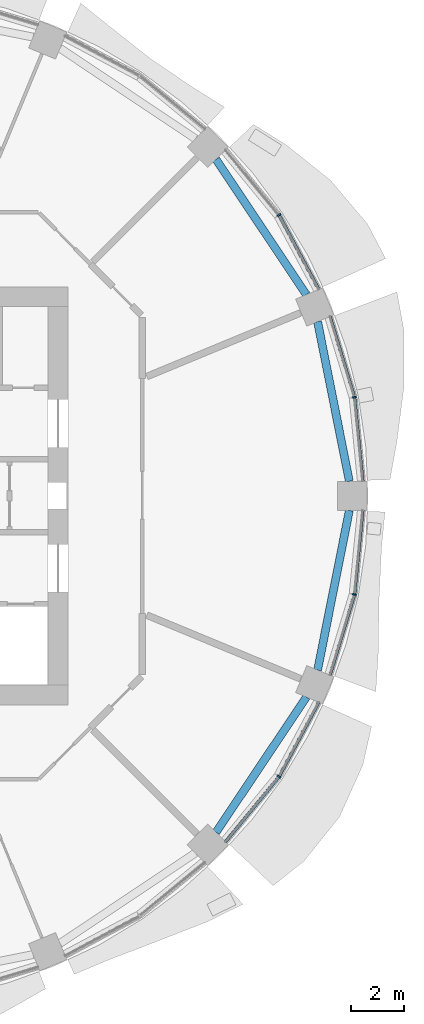
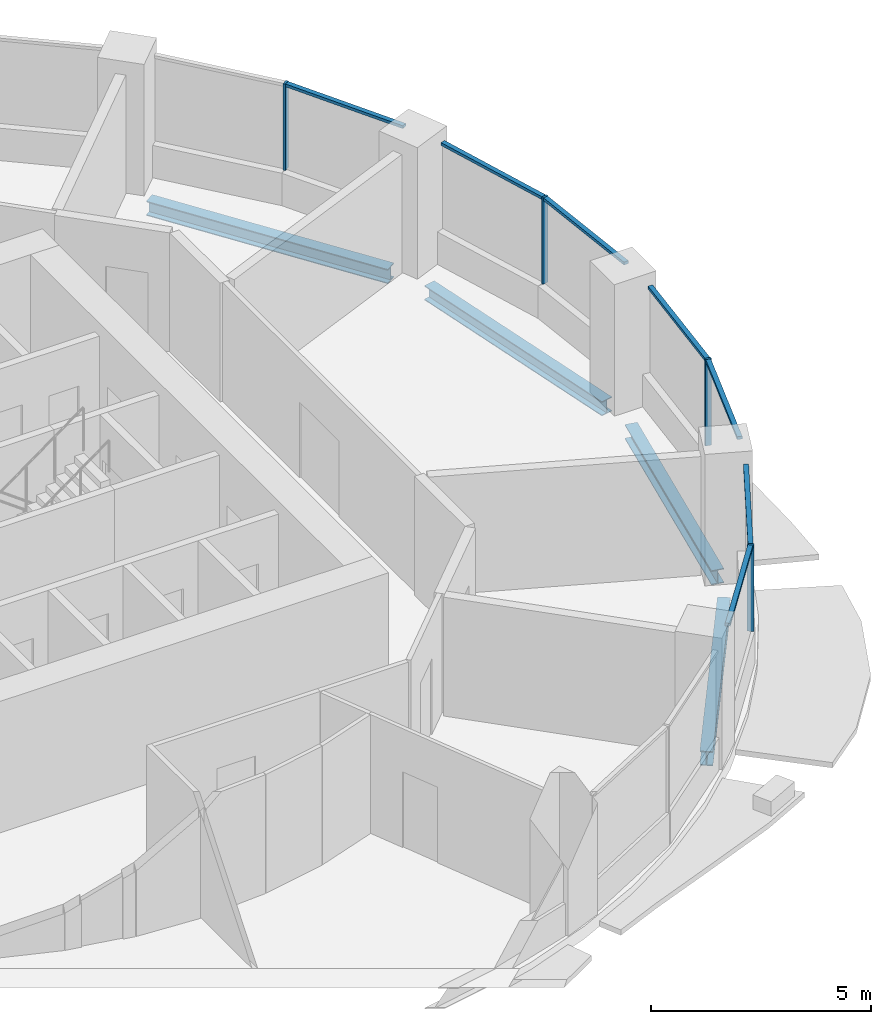
# One storey, part 4 of 14: 11 members, 4 beams, 4 elements without a shape of their own.
"""IFC4 building model written with IfcOpenShell, lengths in metres."""

import ifcopenshell
import ifcopenshell.guid

model = None  # the IFC model being written
_history = None  # IfcOwnerHistory: only IFC2X3 demands one
_inside = {}  # id of a spatial element -> (the spatial element, [elements in it])
_under = {}  # id of a project, library or spatial element -> (it, [spatial elements below it])
_declared = {}  # id of a project -> (the project, [libraries it declares])
_typed = {}  # id of a type object -> (the type object, [elements of that type])
_made_of = {}  # id of a material, layer set ... -> (it, [elements and type objects made of it])


def new_model(schema):
    """Start an empty IFC model of exactly this schema.

    Asked for "IFC4X3", IfcOpenShell would pick the latest addendum, in which some entities
    have other attributes; the version numbers below select the first issue.
    IFC2X3 requires an IfcOwnerHistory on every rooted entity: one is made here for all.
    """
    global model, _history
    if schema == "IFC4X3":
        model = ifcopenshell.file(schema_version=(4, 3, 0, 0))
    else:
        model = ifcopenshell.file(schema=schema)
    _inside.clear()
    _under.clear()
    _declared.clear()
    _typed.clear()
    _made_of.clear()
    _history = None
    if model.schema == "IFC2X3":
        org = make("IfcOrganization", Name="unknown")
        user = make(
            "IfcPersonAndOrganization",
            ThePerson=make("IfcPerson", FamilyName="unknown"),
            TheOrganization=org,
        )
        app = make(
            "IfcApplication",
            ApplicationDeveloper=org,
            Version="unknown",
            ApplicationFullName="unknown",
            ApplicationIdentifier="unknown",
        )
        _history = make(
            "IfcOwnerHistory",
            OwningUser=user,
            OwningApplication=app,
            ChangeAction="ADDED",
            CreationDate=0,
        )
    return model


def make(cls, **values):
    """One entity of the class cls with the attributes given. An attribute that is None is left unset."""
    return model.create_entity(
        cls, **{name: value for name, value in values.items() if value is not None}
    )


def rooted(cls, **values):
    """An entity with a GlobalId (a new one), such as an element, a storey or a relation."""
    return make(cls, GlobalId=ifcopenshell.guid.new(), OwnerHistory=_history, **values)


def si_unit(unit_type, name, prefix=None):
    """IfcSIUnit, for example si_unit("LENGTHUNIT", "METRE", prefix="MILLI")."""
    return make("IfcSIUnit", UnitType=unit_type, Prefix=prefix, Name=name)


def assignment(units):
    """IfcUnitAssignment: the units of a project."""
    return None if units is None else make("IfcUnitAssignment", Units=units)


def point(xyz):
    """IfcCartesianPoint."""
    return None if xyz is None else make("IfcCartesianPoint", Coordinates=xyz)


def direction(xyz):
    """IfcDirection."""
    return None if xyz is None else make("IfcDirection", DirectionRatios=xyz)


def frame(location, z_axis=None, x_axis=None):
    """IfcAxis2Placement3D, a coordinate frame: its origin and axes. An axis left out is left unset."""
    return make(
        "IfcAxis2Placement3D",
        Location=point(location),
        Axis=direction(z_axis),
        RefDirection=direction(x_axis),
    )


def frame_2d(location, x_axis=None):
    """IfcAxis2Placement2D, a coordinate frame in the plane: its origin and x axis."""
    return make(
        "IfcAxis2Placement2D", Location=point(location), RefDirection=direction(x_axis)
    )


def origin():
    """The frame at (0, 0, 0) with its axes left unset."""
    return frame((0.0, 0.0, 0.0))


def origin_2d():
    """The frame at (0, 0) in the plane with its x axis left unset."""
    return frame_2d((0.0, 0.0))


def place(relative_to, where):
    """IfcLocalPlacement: puts the frame where relative to a parent placement (None: the world)."""
    return make(
        "IfcLocalPlacement", PlacementRelTo=relative_to, RelativePlacement=where
    )


def context(
    kind, dimensions, precision=None, world=None, true_north=None, identifier=None
):
    """IfcGeometricRepresentationContext, for example the 3D "Model" context."""
    return make(
        "IfcGeometricRepresentationContext",
        ContextIdentifier=identifier,
        ContextType=kind,
        CoordinateSpaceDimension=dimensions,
        Precision=precision,
        WorldCoordinateSystem=world,
        TrueNorth=true_north,
    )


def subcontext(parent, identifier, kind, view, scale=None):
    """IfcGeometricRepresentationSubContext, for example "Body" below "Model"."""
    return make(
        "IfcGeometricRepresentationSubContext",
        ContextIdentifier=identifier,
        ContextType=kind,
        ParentContext=parent,
        TargetScale=scale,
        TargetView=view,
    )


def project(units=None, contexts=None):
    """IfcProject with its units and contexts."""
    return rooted(
        "IfcProject",
        Name="project",
        RepresentationContexts=contexts,
        UnitsInContext=assignment(units),
    )


def spatial(cls, under=None, at=None, **own):
    """A site, building, storey or space (cls), placed at a placement, below another one or the project."""
    s = rooted(cls, ObjectPlacement=at, **own)
    if under is not None:
        _under.setdefault(under.id(), (under, []))[1].append(s)
    return s


def profile(cls, at=None, kind="AREA", **sizes):
    """A parametric profile (cls). Its sizes go by their IFC names, for example OverallWidth=200.0."""
    return make(cls, ProfileType=kind, Position=at, **sizes)


def rectangle(**sizes):
    """IfcRectangleProfileDef."""
    return profile("IfcRectangleProfileDef", **sizes)


def i_section(**sizes):
    """IfcIShapeProfileDef."""
    return profile("IfcIShapeProfileDef", **sizes)


def extrude(swept, where, along, depth):
    """IfcExtrudedAreaSolid: the profile swept, set in the frame where, extruded along a direction by depth."""
    return make(
        "IfcExtrudedAreaSolid",
        SweptArea=swept,
        Position=where,
        ExtrudedDirection=direction(along),
        Depth=depth,
    )


def shape(context_of_items, identifier, shape_type, items):
    """IfcShapeRepresentation: the items that make up one representation, for example the "Body"."""
    return make(
        "IfcShapeRepresentation",
        ContextOfItems=context_of_items,
        RepresentationIdentifier=identifier,
        RepresentationType=shape_type,
        Items=items,
    )


def material(Name=None, Category=None):
    """IfcMaterial."""
    return make("IfcMaterial", Name=Name, Category=Category)


def material_profile(
    of_material, cross_section, Name=None, Category=None, Priority=None
):
    """IfcMaterialProfile: a cross section and its material."""
    return make(
        "IfcMaterialProfile",
        Name=Name,
        Material=of_material,
        Profile=cross_section,
        Priority=Priority,
        Category=Category,
    )


def profile_set(profiles, Name=None, composite=None):
    """IfcMaterialProfileSet."""
    return make(
        "IfcMaterialProfileSet",
        Name=Name,
        MaterialProfiles=profiles,
        CompositeProfile=composite,
    )


def made_of(thing, what):
    """Note that an element or type object is made of a material, layer set ...; save() writes the relation."""
    if what is not None:
        _made_of.setdefault(what.id(), (what, []))[1].append(thing)
    return thing


def type_object(cls, material=None, **own):
    """A type object (cls), such as IfcWallType, which elements share."""
    return made_of(rooted(cls, **own), material)


def element(
    cls,
    number,
    at=None,
    inside=None,
    cuts=None,
    type_object=None,
    material=None,
    context=None,
    identifier="Body",
    shape_type=None,
    held_by="IfcProductDefinitionShape",
    body=None,
    shapes=None,
    **own,
):
    """One element of the class cls, such as IfcWall. Its Tag is "e" and its number.

    at: its placement. inside: the storey or other place that contains it. cuts: it is an
    opening in that element (IfcRelVoidsElement). A single representation is given by context,
    identifier, shape_type and body (its items); several are given by shapes. held_by: the class
    of the entity that holds the representations. save() writes the other relations.
    """
    e = rooted(cls, Tag="e%d" % number, ObjectPlacement=at, **own)
    if body is not None:
        shapes = [shape(context, identifier, shape_type, body)]
    if shapes is not None:
        e.Representation = make(held_by, Representations=shapes)
    if inside is not None:
        _inside.setdefault(inside.id(), (inside, []))[1].append(e)
    if cuts is not None:
        rooted(
            "IfcRelVoidsElement", RelatingBuildingElement=cuts, RelatedOpeningElement=e
        )
    if type_object is not None:
        _typed.setdefault(type_object.id(), (type_object, []))[1].append(e)
    return made_of(e, material)


def aggregate(whole, parts):
    """IfcRelAggregates: a whole, such as a stair, and the parts it consists of."""
    return rooted("IfcRelAggregates", RelatingObject=whole, RelatedObjects=parts)


def save(model, path):
    """Write the relations noted so far, then the file.

    IfcRelAggregates (storeys below a building ...), IfcRelContainedInSpatialStructure (elements
    in a storey), IfcRelDefinesByType, IfcRelAssociatesMaterial and IfcRelDeclares: one each for
    every whole, place, type object, material and project.
    """
    for whole, parts in _under.values():
        aggregate(whole, parts)
    for where, things in _inside.values():
        rooted(
            "IfcRelContainedInSpatialStructure",
            RelatedElements=things,
            RelatingStructure=where,
        )
    for kind, things in _typed.values():
        rooted("IfcRelDefinesByType", RelatedObjects=things, RelatingType=kind)
    for what, things in _made_of.values():
        rooted("IfcRelAssociatesMaterial", RelatedObjects=things, RelatingMaterial=what)
    for by, libraries in _declared.values():
        rooted("IfcRelDeclares", RelatingContext=by, RelatedDefinitions=libraries)
    model.write(path)


model = new_model("IFC4")

# Units and contexts
model_context = context("Model", 3, precision=1e-05, world=origin(), true_north=direction((0.0, 1.0)))
body_context = subcontext(model_context, "Body", "Model", "MODEL_VIEW")
ifc_project = project(units=[si_unit("LENGTHUNIT", "METRE"), si_unit("AREAUNIT", "SQUARE_METRE"), si_unit("VOLUMEUNIT", "CUBIC_METRE"), si_unit("PLANEANGLEUNIT", "RADIAN"), si_unit("MASSUNIT", "GRAM", prefix="KILO")], contexts=[model_context])

# Site, building, storey
site_placement = place(None, origin())
site = spatial("IfcSite", under=ifc_project, at=site_placement, CompositionType="ELEMENT")
building_placement = place(site_placement, origin())
building = spatial("IfcBuilding", under=site, at=building_placement, Name="Polderwave Tower", CompositionType="ELEMENT")
storey_placement = place(building_placement, frame((0.0, 0.0, 105.60009765625)))
storey = spatial("IfcBuildingStorey", under=building, at=storey_placement, Name="L27", CompositionType="ELEMENT", Elevation=105.60009765625)

# Curtain wall, member
ifc_material_1 = material(Name="Aluminium 6063-T6 and glass", Category="aluminium")
curtain_wall_type = type_object("IfcCurtainWallType", Name="Growing floor ribbon glazing wall", PredefinedType="NOTDEFINED", material=ifc_material_1)
curtain_wall_1_placement = place(storey_placement, origin())
curtain_wall_1 = element("IfcCurtainWall", 1, at=curtain_wall_1_placement, inside=storey, type_object=curtain_wall_type, Name="CW2 L27 00", PredefinedType="NOTDEFINED")
ifc_material_2 = material(Name="Aluminium 6063-T6", Category="aluminium")
ifc_material_profile_1 = material_profile(ifc_material_2, rectangle(XDim=0.14990234375, YDim=0.06005859375, at=origin_2d()), Name="AL 60x150")
ifc_profile_set_1 = profile_set([ifc_material_profile_1], Name="Aluminium 6063-T6")
member_type_1 = type_object("IfcMemberType", Name="Growing floor ribbon glazing mullion 60x150", PredefinedType="MULLION", material=ifc_profile_set_1)
member_1_placement = place(storey_placement, frame((18.6640625, 3.712890625, 0.89990234375), z_axis=(0.0, 0.0, 1.0), x_axis=(-0.980784939905, -0.195092033809, 0.0)))
member_1 = element("IfcMember", 2, at=member_1_placement, type_object=member_type_1, Name="CW2 mullion 1", PredefinedType="MULLION", context=body_context, shape_type="SweptSolid", body=[
    extrude(rectangle(XDim=0.14990234375, YDim=0.06005859375, at=origin_2d()), origin(), (0.0, 0.0, 1.0), 2.39990234375),
])

curtain_wall_2_placement = place(storey_placement, origin())
curtain_wall_2 = element("IfcCurtainWall", 3, at=curtain_wall_2_placement, inside=storey, type_object=curtain_wall_type, Name="CW2 L27 01", PredefinedType="NOTDEFINED")
member_2_placement = place(storey_placement, frame((15.822998046875, 10.572998046875, 0.89990234375), z_axis=(0.0, 0.0, 1.0), x_axis=(-0.831459915646, -0.555584744817, 0.0)))
member_2 = element("IfcMember", 4, at=member_2_placement, type_object=member_type_1, Name="CW2 mullion 1", PredefinedType="MULLION", context=body_context, shape_type="SweptSolid", body=[
    extrude(rectangle(XDim=0.14990234375, YDim=0.06005859375, at=origin_2d()), origin(), (0.0, 0.0, 1.0), 2.39990234375),
])

curtain_wall_3_placement = place(storey_placement, origin())
curtain_wall_3 = element("IfcCurtainWall", 5, at=curtain_wall_3_placement, inside=storey, type_object=curtain_wall_type, Name="CW2 L27 14", PredefinedType="NOTDEFINED")
member_3_placement = place(storey_placement, frame((15.822998046875, -10.572998046875, 0.89990234375), z_axis=(0.0, 0.0, 1.0), x_axis=(-0.831459915646, 0.555584744817, 0.0)))
member_3 = element("IfcMember", 6, at=member_3_placement, type_object=member_type_1, Name="CW2 mullion 1", PredefinedType="MULLION", context=body_context, shape_type="SweptSolid", body=[
    extrude(rectangle(XDim=0.14990234375, YDim=0.06005859375, at=origin_2d()), origin(), (0.0, 0.0, 1.0), 2.39990234375),
])

curtain_wall_4_placement = place(storey_placement, origin())
curtain_wall_4 = element("IfcCurtainWall", 7, at=curtain_wall_4_placement, inside=storey, type_object=curtain_wall_type, Name="CW2 L27 15", PredefinedType="NOTDEFINED")
member_4_placement = place(storey_placement, frame((18.6640625, -3.712890625, 0.89990234375), z_axis=(0.0, 0.0, 1.0), x_axis=(-0.980784939905, 0.195092033809, 0.0)))
member_4 = element("IfcMember", 8, at=member_4_placement, type_object=member_type_1, Name="CW2 mullion 1", PredefinedType="MULLION", context=body_context, shape_type="SweptSolid", body=[
    extrude(rectangle(XDim=0.14990234375, YDim=0.06005859375, at=origin_2d()), origin(), (0.0, 0.0, 1.0), 2.39990234375),
])

# Member
ifc_material_profile_2 = material_profile(ifc_material_2, rectangle(XDim=0.1201171875, YDim=0.080078125, at=origin_2d()), Name="AL 80x120")
ifc_profile_set_2 = profile_set([ifc_material_profile_2], Name="Aluminium 6063-T6")
member_type_2 = type_object("IfcMemberType", Name="Growing floor ribbon glazing transom 80x120", PredefinedType="USERDEFINED", material=ifc_profile_set_2)
member_5_placement = place(storey_placement, frame((18.97607421875, 0.550048828125, 3.260009765625), z_axis=(-0.098175338745, 0.995169132792, 0.0), x_axis=(-0.995169132792, -0.098175338745, 0.0)))
member_5 = element("IfcMember", 9, at=member_5_placement, type_object=member_type_2, Name="CW2 transom 1", ObjectType="TRANSOM", PredefinedType="USERDEFINED", context=body_context, shape_type="SweptSolid", body=[
    extrude(rectangle(XDim=0.1201171875, YDim=0.080078125, at=origin_2d()), origin(), (0.0, 0.0, 1.0), 3.148193359375),
])

member_6_placement = place(storey_placement, frame((18.6552734375, 3.74169921875, 3.260009765625), z_axis=(-0.290164540356, 0.956976770627, 0.0), x_axis=(-0.956976770627, -0.290164540356, 0.0)))
member_6 = element("IfcMember", 10, at=member_6_placement, type_object=member_type_2, Name="CW2 transom 2", ObjectType="TRANSOM", PredefinedType="USERDEFINED", context=body_context, shape_type="SweptSolid", body=[
    extrude(rectangle(XDim=0.1201171875, YDim=0.080078125, at=origin_2d()), origin(), (0.0, 0.0, 1.0), 3.147705078125),
])

aggregate(curtain_wall_1, [member_1, member_5, member_6])

member_7_placement = place(storey_placement, frame((17.321044921875, 7.77001953125, 3.260009765625), z_axis=(-0.471368950997, 0.88193611562, 0.0), x_axis=(-0.88193611562, -0.471368950997, 0.0)))
member_7 = element("IfcMember", 11, at=member_7_placement, type_object=member_type_2, Name="CW2 transom 1", ObjectType="TRANSOM", PredefinedType="USERDEFINED", context=body_context, shape_type="SweptSolid", body=[
    extrude(rectangle(XDim=0.1201171875, YDim=0.080078125, at=origin_2d()), origin(), (0.0, 0.0, 1.0), 3.14794921875),
])

aggregate(curtain_wall_2, [member_2, member_7])

member_8_placement = place(storey_placement, frame((13.806884765625, -13.029052734375, 3.260009765625), z_axis=(0.634483003965, 0.77293681351, 0.0), x_axis=(-0.77293681351, 0.634483003965, 0.0)))
member_8 = element("IfcMember", 12, at=member_8_placement, type_object=member_type_2, Name="CW2 transom 1", ObjectType="TRANSOM", PredefinedType="USERDEFINED", context=body_context, shape_type="SweptSolid", body=[
    extrude(rectangle(XDim=0.1201171875, YDim=0.080078125, at=origin_2d()), origin(), (0.0, 0.0, 1.0), 3.1474609375),
])

member_9_placement = place(storey_placement, frame((15.837158203125, -10.54638671875, 3.260009765625), z_axis=(0.471368950997, 0.88193611562, 0.0), x_axis=(-0.88193611562, 0.471368950997, 0.0)))
member_9 = element("IfcMember", 13, at=member_9_placement, type_object=member_type_2, Name="CW2 transom 2", ObjectType="TRANSOM", PredefinedType="USERDEFINED", context=body_context, shape_type="SweptSolid", body=[
    extrude(rectangle(XDim=0.1201171875, YDim=0.080078125, at=origin_2d()), origin(), (0.0, 0.0, 1.0), 3.14794921875),
])

aggregate(curtain_wall_3, [member_3, member_8, member_9])

member_10_placement = place(storey_placement, frame((17.741943359375, -6.75390625, 3.260009765625), z_axis=(0.290164540356, 0.956976770627, 0.0), x_axis=(-0.956976770627, 0.290164540356, 0.0)))
member_10 = element("IfcMember", 14, at=member_10_placement, type_object=member_type_2, Name="CW2 transom 1", ObjectType="TRANSOM", PredefinedType="USERDEFINED", context=body_context, shape_type="SweptSolid", body=[
    extrude(rectangle(XDim=0.1201171875, YDim=0.080078125, at=origin_2d()), origin(), (0.0, 0.0, 1.0), 3.147705078125),
])

member_11_placement = place(storey_placement, frame((18.6669921875, -3.68310546875, 3.260009765625), z_axis=(0.098175338745, 0.995169132792, 0.0), x_axis=(-0.995169132792, 0.098175338745, 0.0)))
member_11 = element("IfcMember", 15, at=member_11_placement, type_object=member_type_2, Name="CW2 transom 2", ObjectType="TRANSOM", PredefinedType="USERDEFINED", context=body_context, shape_type="SweptSolid", body=[
    extrude(rectangle(XDim=0.1201171875, YDim=0.080078125, at=origin_2d()), origin(), (0.0, 0.0, 1.0), 3.148193359375),
])

aggregate(curtain_wall_4, [member_4, member_10, member_11])

# Beams
ifc_material_3 = material(Name="Steel S355", Category="steel")
ifc_material_profile_3 = material_profile(ifc_material_3, i_section(OverallWidth=0.300048828125, OverallDepth=0.39990234375, WebThickness=0.013427734375, FlangeThickness=0.02392578125, at=origin_2d()), Name="HE 400 B")
ifc_profile_set_3 = profile_set([ifc_material_profile_3], Name="Steel S355")
beam_type = type_object("IfcBeamType", Name="RING BEAM HE 400 B", PredefinedType="BEAM", material=ifc_profile_set_3)
beam_1_placement = place(storey_placement, frame((18.470703125, 0.550048828125, -0.550048828125), z_axis=(-0.195097041699, 0.980783943751, 0.0), x_axis=(-0.980783943751, -0.195097041699, 0.0)))
element("IfcBeam", 16, at=beam_1_placement, inside=storey, type_object=beam_type, Name="ST-RB-L27-00", PredefinedType="BEAM", context=body_context, shape_type="SweptSolid", body=[
    extrude(i_section(OverallWidth=0.300048828125, OverallDepth=0.39990234375, WebThickness=0.013427734375, FlangeThickness=0.02392578125, at=origin_2d()), origin(), (0.0, 0.0, 1.0), 6.1279296875),
])
for number, where, z_axis, x_axis, name in (
    (17, (16.854248046875, 7.576416015625, -0.550048828125), (-0.555554909675, 0.83147985083, 0.0), (-0.83147985083, -0.555554909675, 0.0), "ST-RB-L27-01"),
    (18, (13.44970703125, -12.671875, -0.550048828125), (0.555554909675, 0.83147985083, 0.0), (-0.83147985083, 0.555554909675, 0.0), "ST-RB-L27-14"),
):
    element("IfcBeam", number, at=place(storey_placement, frame(where, z_axis=z_axis, x_axis=x_axis)), inside=storey, type_object=beam_type, Name=name, PredefinedType="BEAM", context=body_context, shape_type="SweptSolid", body=[
        extrude(i_section(OverallWidth=0.300048828125, OverallDepth=0.39990234375, WebThickness=0.013427734375, FlangeThickness=0.02392578125, at=origin_2d()), origin(), (0.0, 0.0, 1.0), 6.128173828125),
    ])
beam_2_placement = place(storey_placement, frame((17.275146484375, -6.560302734375, -0.550048828125), z_axis=(0.195097041699, 0.980783943751, 0.0), x_axis=(-0.980783943751, 0.195097041699, 0.0)))
element("IfcBeam", 19, at=beam_2_placement, inside=storey, type_object=beam_type, Name="ST-RB-L27-15", PredefinedType="BEAM", context=body_context, shape_type="SweptSolid", body=[
    extrude(i_section(OverallWidth=0.300048828125, OverallDepth=0.39990234375, WebThickness=0.013427734375, FlangeThickness=0.02392578125, at=origin_2d()), origin(), (0.0, 0.0, 1.0), 6.1279296875),
])

save(model, "model.ifc")
